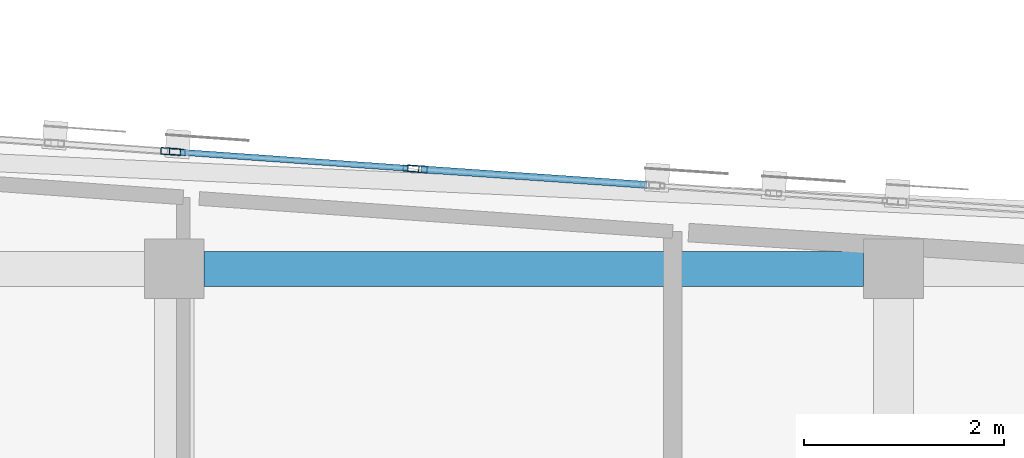
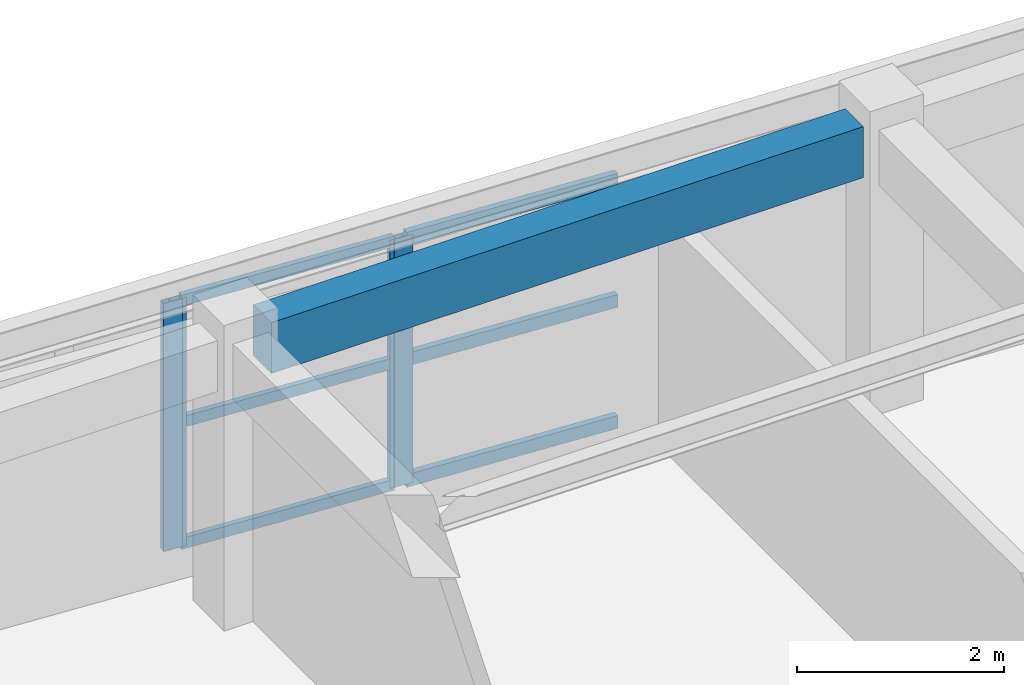
# One storey, part 36 of 73: 10 members, 1 beam, 3 elements without a shape of their own.
"""IFC4 building model written with IfcOpenShell, lengths in metres."""

import ifcopenshell
import ifcopenshell.guid

model = None  # the IFC model being written
_history = None  # IfcOwnerHistory: only IFC2X3 demands one
_inside = {}  # id of a spatial element -> (the spatial element, [elements in it])
_under = {}  # id of a project, library or spatial element -> (it, [spatial elements below it])
_declared = {}  # id of a project -> (the project, [libraries it declares])
_typed = {}  # id of a type object -> (the type object, [elements of that type])
_made_of = {}  # id of a material, layer set ... -> (it, [elements and type objects made of it])


def new_model(schema):
    """Start an empty IFC model of exactly this schema.

    Asked for "IFC4X3", IfcOpenShell would pick the latest addendum, in which some entities
    have other attributes; the version numbers below select the first issue.
    IFC2X3 requires an IfcOwnerHistory on every rooted entity: one is made here for all.
    """
    global model, _history
    if schema == "IFC4X3":
        model = ifcopenshell.file(schema_version=(4, 3, 0, 0))
    else:
        model = ifcopenshell.file(schema=schema)
    _inside.clear()
    _under.clear()
    _declared.clear()
    _typed.clear()
    _made_of.clear()
    _history = None
    if model.schema == "IFC2X3":
        org = make("IfcOrganization", Name="unknown")
        user = make(
            "IfcPersonAndOrganization",
            ThePerson=make("IfcPerson", FamilyName="unknown"),
            TheOrganization=org,
        )
        app = make(
            "IfcApplication",
            ApplicationDeveloper=org,
            Version="unknown",
            ApplicationFullName="unknown",
            ApplicationIdentifier="unknown",
        )
        _history = make(
            "IfcOwnerHistory",
            OwningUser=user,
            OwningApplication=app,
            ChangeAction="ADDED",
            CreationDate=0,
        )
    return model


def make(cls, **values):
    """One entity of the class cls with the attributes given. An attribute that is None is left unset."""
    return model.create_entity(
        cls, **{name: value for name, value in values.items() if value is not None}
    )


def rooted(cls, **values):
    """An entity with a GlobalId (a new one), such as an element, a storey or a relation."""
    return make(cls, GlobalId=ifcopenshell.guid.new(), OwnerHistory=_history, **values)


def si_unit(unit_type, name, prefix=None):
    """IfcSIUnit, for example si_unit("LENGTHUNIT", "METRE", prefix="MILLI")."""
    return make("IfcSIUnit", UnitType=unit_type, Prefix=prefix, Name=name)


def assignment(units):
    """IfcUnitAssignment: the units of a project."""
    return None if units is None else make("IfcUnitAssignment", Units=units)


def point(xyz):
    """IfcCartesianPoint."""
    return None if xyz is None else make("IfcCartesianPoint", Coordinates=xyz)


def direction(xyz):
    """IfcDirection."""
    return None if xyz is None else make("IfcDirection", DirectionRatios=xyz)


def frame(location, z_axis=None, x_axis=None):
    """IfcAxis2Placement3D, a coordinate frame: its origin and axes. An axis left out is left unset."""
    return make(
        "IfcAxis2Placement3D",
        Location=point(location),
        Axis=direction(z_axis),
        RefDirection=direction(x_axis),
    )


def frame_2d(location, x_axis=None):
    """IfcAxis2Placement2D, a coordinate frame in the plane: its origin and x axis."""
    return make(
        "IfcAxis2Placement2D", Location=point(location), RefDirection=direction(x_axis)
    )


def origin():
    """The frame at (0, 0, 0) with its axes left unset."""
    return frame((0.0, 0.0, 0.0))


def origin_2d():
    """The frame at (0, 0) in the plane with its x axis left unset."""
    return frame_2d((0.0, 0.0))


def place(relative_to, where):
    """IfcLocalPlacement: puts the frame where relative to a parent placement (None: the world)."""
    return make(
        "IfcLocalPlacement", PlacementRelTo=relative_to, RelativePlacement=where
    )


def context(
    kind, dimensions, precision=None, world=None, true_north=None, identifier=None
):
    """IfcGeometricRepresentationContext, for example the 3D "Model" context."""
    return make(
        "IfcGeometricRepresentationContext",
        ContextIdentifier=identifier,
        ContextType=kind,
        CoordinateSpaceDimension=dimensions,
        Precision=precision,
        WorldCoordinateSystem=world,
        TrueNorth=true_north,
    )


def subcontext(parent, identifier, kind, view, scale=None):
    """IfcGeometricRepresentationSubContext, for example "Body" below "Model"."""
    return make(
        "IfcGeometricRepresentationSubContext",
        ContextIdentifier=identifier,
        ContextType=kind,
        ParentContext=parent,
        TargetScale=scale,
        TargetView=view,
    )


def project(units=None, contexts=None):
    """IfcProject with its units and contexts."""
    return rooted(
        "IfcProject",
        Name="project",
        RepresentationContexts=contexts,
        UnitsInContext=assignment(units),
    )


def spatial(cls, under=None, at=None, **own):
    """A site, building, storey or space (cls), placed at a placement, below another one or the project."""
    s = rooted(cls, ObjectPlacement=at, **own)
    if under is not None:
        _under.setdefault(under.id(), (under, []))[1].append(s)
    return s


def profile(cls, at=None, kind="AREA", **sizes):
    """A parametric profile (cls). Its sizes go by their IFC names, for example OverallWidth=200.0."""
    return make(cls, ProfileType=kind, Position=at, **sizes)


def rectangle(**sizes):
    """IfcRectangleProfileDef."""
    return profile("IfcRectangleProfileDef", **sizes)


def hollow_rectangle(**sizes):
    """IfcRectangleHollowProfileDef."""
    return profile("IfcRectangleHollowProfileDef", **sizes)


def extrude(swept, where, along, depth):
    """IfcExtrudedAreaSolid: the profile swept, set in the frame where, extruded along a direction by depth."""
    return make(
        "IfcExtrudedAreaSolid",
        SweptArea=swept,
        Position=where,
        ExtrudedDirection=direction(along),
        Depth=depth,
    )


def shape(context_of_items, identifier, shape_type, items):
    """IfcShapeRepresentation: the items that make up one representation, for example the "Body"."""
    return make(
        "IfcShapeRepresentation",
        ContextOfItems=context_of_items,
        RepresentationIdentifier=identifier,
        RepresentationType=shape_type,
        Items=items,
    )


def material(Name=None, Category=None):
    """IfcMaterial."""
    return make("IfcMaterial", Name=Name, Category=Category)


def layer(
    of_material, thickness, ventilated=None, Name=None, Category=None, Priority=None
):
    """IfcMaterialLayer: one layer of a wall or slab, of a material (None: an air gap)."""
    return make(
        "IfcMaterialLayer",
        Material=of_material,
        LayerThickness=thickness,
        IsVentilated=ventilated,
        Name=Name,
        Category=Category,
        Priority=Priority,
    )


def layer_set(layers, Name=None):
    """IfcMaterialLayerSet."""
    return make("IfcMaterialLayerSet", MaterialLayers=layers, LayerSetName=Name)


def material_profile(
    of_material, cross_section, Name=None, Category=None, Priority=None
):
    """IfcMaterialProfile: a cross section and its material."""
    return make(
        "IfcMaterialProfile",
        Name=Name,
        Material=of_material,
        Profile=cross_section,
        Priority=Priority,
        Category=Category,
    )


def profile_set(profiles, Name=None, composite=None):
    """IfcMaterialProfileSet."""
    return make(
        "IfcMaterialProfileSet",
        Name=Name,
        MaterialProfiles=profiles,
        CompositeProfile=composite,
    )


def made_of(thing, what):
    """Note that an element or type object is made of a material, layer set ...; save() writes the relation."""
    if what is not None:
        _made_of.setdefault(what.id(), (what, []))[1].append(thing)
    return thing


def type_object(cls, material=None, **own):
    """A type object (cls), such as IfcWallType, which elements share."""
    return made_of(rooted(cls, **own), material)


def element(
    cls,
    number,
    at=None,
    inside=None,
    cuts=None,
    type_object=None,
    material=None,
    context=None,
    identifier="Body",
    shape_type=None,
    held_by="IfcProductDefinitionShape",
    body=None,
    shapes=None,
    **own,
):
    """One element of the class cls, such as IfcWall. Its Tag is "e" and its number.

    at: its placement. inside: the storey or other place that contains it. cuts: it is an
    opening in that element (IfcRelVoidsElement). A single representation is given by context,
    identifier, shape_type and body (its items); several are given by shapes. held_by: the class
    of the entity that holds the representations. save() writes the other relations.
    """
    e = rooted(cls, Tag="e%d" % number, ObjectPlacement=at, **own)
    if body is not None:
        shapes = [shape(context, identifier, shape_type, body)]
    if shapes is not None:
        e.Representation = make(held_by, Representations=shapes)
    if inside is not None:
        _inside.setdefault(inside.id(), (inside, []))[1].append(e)
    if cuts is not None:
        rooted(
            "IfcRelVoidsElement", RelatingBuildingElement=cuts, RelatedOpeningElement=e
        )
    if type_object is not None:
        _typed.setdefault(type_object.id(), (type_object, []))[1].append(e)
    return made_of(e, material)


def aggregate(whole, parts):
    """IfcRelAggregates: a whole, such as a stair, and the parts it consists of."""
    return rooted("IfcRelAggregates", RelatingObject=whole, RelatedObjects=parts)


def save(model, path):
    """Write the relations noted so far, then the file.

    IfcRelAggregates (storeys below a building ...), IfcRelContainedInSpatialStructure (elements
    in a storey), IfcRelDefinesByType, IfcRelAssociatesMaterial and IfcRelDeclares: one each for
    every whole, place, type object, material and project.
    """
    for whole, parts in _under.values():
        aggregate(whole, parts)
    for where, things in _inside.values():
        rooted(
            "IfcRelContainedInSpatialStructure",
            RelatedElements=things,
            RelatingStructure=where,
        )
    for kind, things in _typed.values():
        rooted("IfcRelDefinesByType", RelatedObjects=things, RelatingType=kind)
    for what, things in _made_of.values():
        rooted("IfcRelAssociatesMaterial", RelatedObjects=things, RelatingMaterial=what)
    for by, libraries in _declared.values():
        rooted("IfcRelDeclares", RelatingContext=by, RelatedDefinitions=libraries)
    model.write(path)


model = new_model("IFC4")

# Units and contexts
model_context = context("Model", 3, precision=1e-05, world=origin(), true_north=direction((0.0, 1.0)))
body_context = subcontext(model_context, "Body", "Model", "MODEL_VIEW")
ifc_project = project(units=[si_unit("LENGTHUNIT", "METRE"), si_unit("AREAUNIT", "SQUARE_METRE"), si_unit("VOLUMEUNIT", "CUBIC_METRE"), si_unit("PLANEANGLEUNIT", "RADIAN"), si_unit("MASSUNIT", "GRAM", prefix="KILO")], contexts=[model_context])

# Site, building, storey
site_placement = place(None, origin())
site = spatial("IfcSite", under=ifc_project, at=site_placement, CompositionType="ELEMENT")
building_placement = place(site_placement, origin())
building = spatial("IfcBuilding", under=site, at=building_placement, Name="Carrowvane Square Congress Hotel", CompositionType="ELEMENT")
storey_placement = place(building_placement, frame((0.0, 0.0, 19.199951171875)))
storey = spatial("IfcBuildingStorey", under=building, at=storey_placement, Name="L04", CompositionType="ELEMENT", Elevation=19.199951171875)

# Beam
ifc_material_1 = material(Name="Concrete C35/45", Category="concrete")
ifc_material_profile_1 = material_profile(ifc_material_1, rectangle(XDim=0.35009765625, YDim=0.60009765625, at=origin_2d()), Name="RC 350x600")
ifc_profile_set_1 = profile_set([ifc_material_profile_1], Name="Concrete C35/45")
beam_type = type_object("IfcBeamType", Name="BM-RC-350x600", PredefinedType="BEAM", material=ifc_profile_set_1)
beam_placement = place(storey_placement, frame((141.5, 113.39990234375, 3.050048828125), z_axis=(1.0, 0.0, 0.0), x_axis=(0.0, 1.0, 0.0)))
element("IfcBeam", 1, at=beam_placement, inside=storey, type_object=beam_type, Name="L05 girder R/19-20", PredefinedType="BEAM", context=body_context, shape_type="SweptSolid", body=[
    extrude(rectangle(XDim=0.35009765625, YDim=0.60009765625, at=origin_2d()), origin(), (0.0, 0.0, 1.0), 6.60009765625),
])

# Curtain wall, members
ifc_material_2 = material(Name="Anodised aluminium", Category="aluminium")
ifc_layer_1 = layer(ifc_material_2, 0.18603515625)
ifc_layer_set_1 = layer_set([ifc_layer_1], Name="Anodised aluminium")
curtain_wall_type_1 = type_object("IfcCurtainWallType", Name="CW-SYS-3", PredefinedType="NOTDEFINED", material=ifc_layer_set_1)
curtain_wall_1_placement = place(storey_placement, origin())
curtain_wall_1 = element("IfcCurtainWall", 2, at=curtain_wall_1_placement, inside=storey, type_object=curtain_wall_type_1, Name="L04 unitised curtain wall 290", PredefinedType="NOTDEFINED")
ifc_material_3 = material(Name="Anodised aluminium", Category="aluminium")
ifc_material_profile_2 = material_profile(ifc_material_3, hollow_rectangle(XDim=0.06005859375, YDim=0.159912109375, WallThickness=0.00390625, at=origin_2d()), Name="CW-ML 60x160x4")
ifc_profile_set_2 = profile_set([ifc_material_profile_2], Name="Anodised aluminium")
member_type_1 = type_object("IfcMemberType", Name="CW-MUL-1", PredefinedType="MULLION", material=ifc_profile_set_2)
member_1_placement = place(storey_placement, frame((141.22998046875, 114.569091796875, 0.0), z_axis=(0.0, 0.0, 1.0), x_axis=(0.070585996942, 0.997505697746, 0.0)))
member_1 = element("IfcMember", 3, at=member_1_placement, type_object=member_type_1, Name="CW-3 mullion 1", PredefinedType="MULLION", context=body_context, shape_type="SweptSolid", body=[
    extrude(hollow_rectangle(XDim=0.06005859375, YDim=0.159912109375, WallThickness=0.00390625, at=origin_2d()), origin(), (0.0, 0.0, 1.0), 2.925537109375),
])
member_2_placement = place(storey_placement, frame((143.570068359375, 114.403564453125, 0.0), z_axis=(0.0, 0.0, 1.0), x_axis=(0.070585996942, 0.997505697746, 0.0)))
member_2 = element("IfcMember", 4, at=member_2_placement, type_object=member_type_1, Name="CW-3 mullion 2", PredefinedType="MULLION", context=body_context, shape_type="SweptSolid", body=[
    extrude(hollow_rectangle(XDim=0.06005859375, YDim=0.159912109375, WallThickness=0.00390625, at=origin_2d()), origin(), (0.0, 0.0, 1.0), 2.925537109375),
])

# Curtain wall, member
ifc_material_4 = material(Name="Anodised aluminium", Category="aluminium")
ifc_layer_2 = layer(ifc_material_4, 0.174072265625)
ifc_layer_set_2 = layer_set([ifc_layer_2], Name="Anodised aluminium")
curtain_wall_type_2 = type_object("IfcCurtainWallType", Name="CW-SYS-2", PredefinedType="NOTDEFINED", material=ifc_layer_set_2)
curtain_wall_2_placement = place(storey_placement, origin())
curtain_wall_2 = element("IfcCurtainWall", 5, at=curtain_wall_2_placement, inside=storey, type_object=curtain_wall_type_2, Name="L04 unitised curtain wall 289", PredefinedType="NOTDEFINED")
ifc_material_5 = material(Name="Anodised aluminium", Category="aluminium")
ifc_material_profile_3 = material_profile(ifc_material_5, hollow_rectangle(XDim=0.070068359375, YDim=0.199951171875, WallThickness=0.0048828125, at=origin_2d()), Name="CW-ML 70x200x5")
ifc_profile_set_3 = profile_set([ifc_material_profile_3], Name="Anodised aluminium")
member_type_2 = type_object("IfcMemberType", Name="CW-MUL-2", PredefinedType="MULLION", material=ifc_profile_set_3)
member_3_placement = place(storey_placement, frame((141.1650390625, 114.57373046875, 0.0), z_axis=(0.0, 0.0, 1.0), x_axis=(0.071422490945, 0.997446152826, 0.0)))
member_3 = element("IfcMember", 6, at=member_3_placement, type_object=member_type_2, Name="CW-2 mullion 3", PredefinedType="MULLION", context=body_context, shape_type="SweptSolid", body=[
    extrude(hollow_rectangle(XDim=0.070068359375, YDim=0.199951171875, WallThickness=0.0048828125, at=origin_2d()), origin(), (0.0, 0.0, 1.0), 2.925537109375),
])
aggregate(curtain_wall_2, [member_3])

ifc_material_6 = material(Name="Anodised aluminium", Category="aluminium")
ifc_layer_3 = layer(ifc_material_6, 0.197998046875)
ifc_layer_set_3 = layer_set([ifc_layer_3], Name="Anodised aluminium")
curtain_wall_type_3 = type_object("IfcCurtainWallType", Name="CW-SYS-4", PredefinedType="NOTDEFINED", material=ifc_layer_set_3)
curtain_wall_3_placement = place(storey_placement, origin())
curtain_wall_3 = element("IfcCurtainWall", 7, at=curtain_wall_3_placement, inside=storey, type_object=curtain_wall_type_3, Name="L04 unitised curtain wall 291", PredefinedType="NOTDEFINED")
member_4_placement = place(storey_placement, frame((143.635009765625, 114.39892578125, 0.0), z_axis=(0.0, 0.0, 1.0), x_axis=(0.068986120725, 0.997617619706, 0.0)))
member_4 = element("IfcMember", 8, at=member_4_placement, type_object=member_type_2, Name="CW-4 mullion 1", PredefinedType="MULLION", context=body_context, shape_type="SweptSolid", body=[
    extrude(hollow_rectangle(XDim=0.070068359375, YDim=0.199951171875, WallThickness=0.0048828125, at=origin_2d()), origin(), (0.0, 0.0, 1.0), 2.925537109375),
])

# Member
ifc_material_7 = material(Name="Anodised aluminium", Category="aluminium")
ifc_material_profile_4 = material_profile(ifc_material_7, hollow_rectangle(XDim=0.06005859375, YDim=0.1298828125, WallThickness=0.00390625, at=origin_2d()), Name="CW-TR 60x130x4")
ifc_profile_set_4 = profile_set([ifc_material_profile_4], Name="Anodised aluminium")
member_type_3 = type_object("IfcMemberType", Name="CW-TRN-1", PredefinedType="USERDEFINED", material=ifc_profile_set_4)
member_5_placement = place(storey_placement, frame((141.259765625, 114.567138671875, 0.030029296875), z_axis=(0.997505109293, -0.070594312339, 0.0), x_axis=(0.070594312339, 0.997505109293, 0.0)))
member_5 = element("IfcMember", 9, at=member_5_placement, type_object=member_type_3, Name="CW-3 transom 1.1", ObjectType="TRANSOM", PredefinedType="USERDEFINED", context=body_context, shape_type="SweptSolid", body=[
    extrude(hollow_rectangle(XDim=0.06005859375, YDim=0.1298828125, WallThickness=0.00390625, at=origin_2d()), origin(), (0.0, 0.0, 1.0), 2.285888671875),
])

member_6_placement = place(storey_placement, frame((141.259765625, 114.567138671875, 1.462890625), z_axis=(0.997505109293, -0.070594312339, 0.0), x_axis=(0.070594312339, 0.997505109293, 0.0)))
member_6 = element("IfcMember", 10, at=member_6_placement, type_object=member_type_3, Name="CW-3 transom 1.2", ObjectType="TRANSOM", PredefinedType="USERDEFINED", context=body_context, shape_type="SweptSolid", body=[
    extrude(hollow_rectangle(XDim=0.06005859375, YDim=0.1298828125, WallThickness=0.00390625, at=origin_2d()), origin(), (0.0, 0.0, 1.0), 2.285888671875),
])

member_7_placement = place(storey_placement, frame((141.259765625, 114.567138671875, 2.895751953125), z_axis=(0.997505109293, -0.070594312339, 0.0), x_axis=(0.070594312339, 0.997505109293, 0.0)))
member_7 = element("IfcMember", 11, at=member_7_placement, type_object=member_type_3, Name="CW-3 transom 1.3", ObjectType="TRANSOM", PredefinedType="USERDEFINED", context=body_context, shape_type="SweptSolid", body=[
    extrude(hollow_rectangle(XDim=0.06005859375, YDim=0.1298828125, WallThickness=0.00390625, at=origin_2d()), origin(), (0.0, 0.0, 1.0), 2.285888671875),
])

aggregate(curtain_wall_1, [member_1, member_2, member_5, member_6, member_7])

ifc_material_8 = material(Name="Anodised aluminium", Category="aluminium")
ifc_material_profile_5 = material_profile(ifc_material_8, hollow_rectangle(XDim=0.070068359375, YDim=0.14990234375, WallThickness=0.0048828125, at=origin_2d()), Name="CW-TR 70x150x5")
ifc_profile_set_5 = profile_set([ifc_material_profile_5], Name="Anodised aluminium")
member_type_4 = type_object("IfcMemberType", Name="CW-TRN-2", PredefinedType="USERDEFINED", material=ifc_profile_set_5)
member_8_placement = place(storey_placement, frame((143.669921875, 114.396728515625, 0.03515625), z_axis=(0.997611673576, -0.069072054738, 0.0), x_axis=(0.069072054738, 0.997611673576, 0.0)))
member_8 = element("IfcMember", 12, at=member_8_placement, type_object=member_type_4, Name="CW-4 transom 1.1", ObjectType="TRANSOM", PredefinedType="USERDEFINED", context=body_context, shape_type="SweptSolid", body=[
    extrude(hollow_rectangle(XDim=0.070068359375, YDim=0.14990234375, WallThickness=0.0048828125, at=origin_2d()), origin(), (0.0, 0.0, 1.0), 2.265625),
])

member_9_placement = place(storey_placement, frame((143.669921875, 114.396728515625, 1.462890625), z_axis=(0.997611673576, -0.069072054738, 0.0), x_axis=(0.069072054738, 0.997611673576, 0.0)))
member_9 = element("IfcMember", 13, at=member_9_placement, type_object=member_type_4, Name="CW-4 transom 1.2", ObjectType="TRANSOM", PredefinedType="USERDEFINED", context=body_context, shape_type="SweptSolid", body=[
    extrude(hollow_rectangle(XDim=0.070068359375, YDim=0.14990234375, WallThickness=0.0048828125, at=origin_2d()), origin(), (0.0, 0.0, 1.0), 2.265625),
])

member_10_placement = place(storey_placement, frame((143.669921875, 114.396728515625, 2.890625), z_axis=(0.997611673576, -0.069072054738, 0.0), x_axis=(0.069072054738, 0.997611673576, 0.0)))
member_10 = element("IfcMember", 14, at=member_10_placement, type_object=member_type_4, Name="CW-4 transom 1.3", ObjectType="TRANSOM", PredefinedType="USERDEFINED", context=body_context, shape_type="SweptSolid", body=[
    extrude(hollow_rectangle(XDim=0.070068359375, YDim=0.14990234375, WallThickness=0.0048828125, at=origin_2d()), origin(), (0.0, 0.0, 1.0), 2.265625),
])

aggregate(curtain_wall_3, [member_4, member_8, member_9, member_10])

save(model, "model.ifc")
